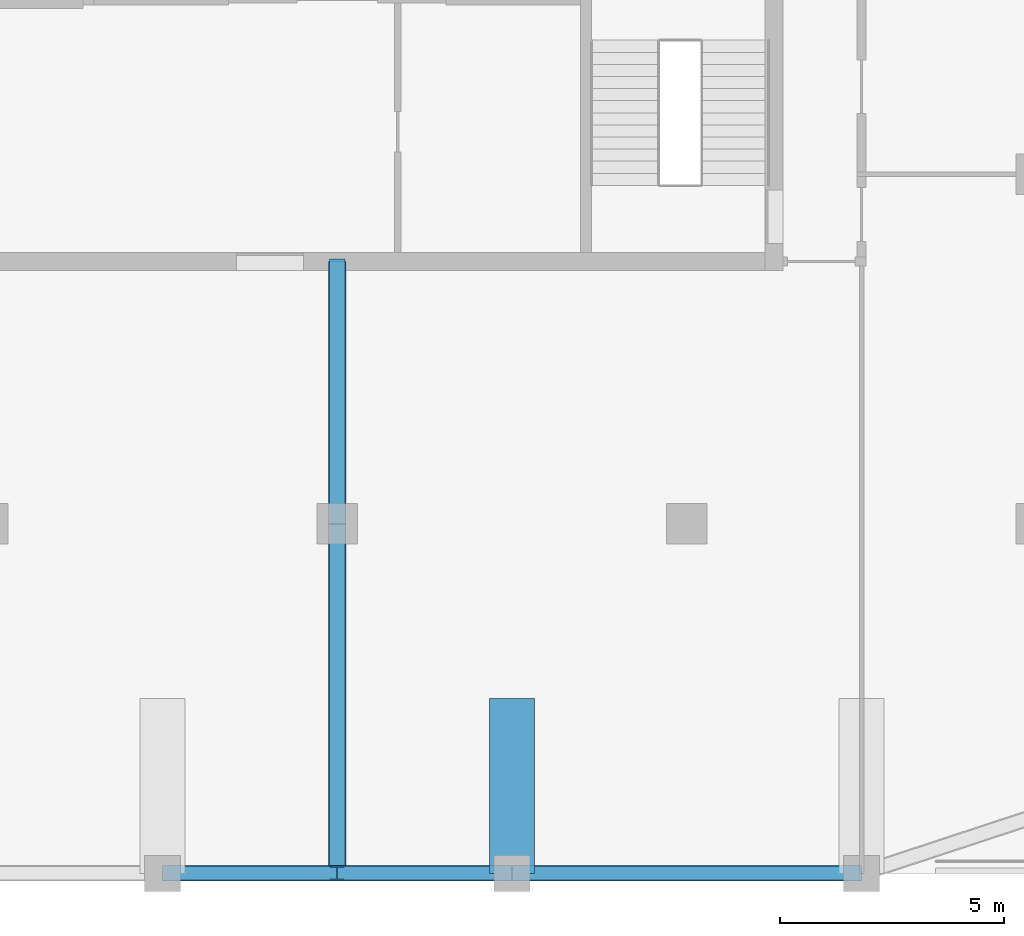
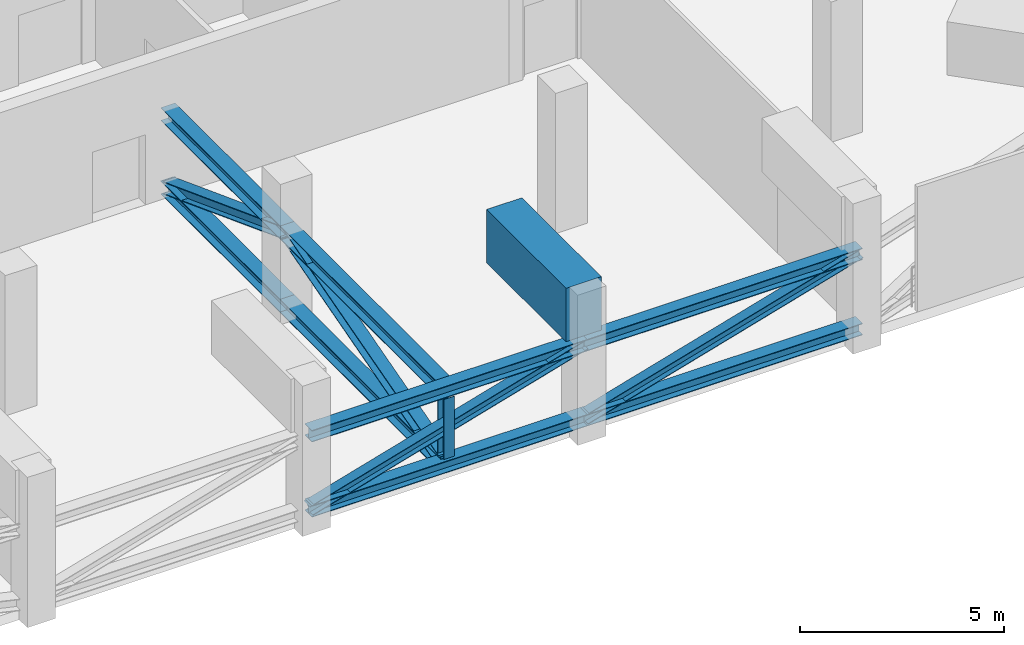
# One storey, part 2 of 13: 13 members, 1 beam.
"""IFC4 building model written with IfcOpenShell, lengths in metres."""

from ifc_helpers import new_model, si_unit, direction, frame, origin, origin_2d, place, context, subcontext, project, spatial, rectangle, i_section, extrude, material, material_profile, profile_set, type_object, element, save


model = new_model("IFC4")

# Units and contexts
model_context = context("Model", 3, precision=1e-05, world=origin(), true_north=direction((0.0, 1.0)))
body_context = subcontext(model_context, "Body", "Model", "MODEL_VIEW")
ifc_project = project(units=[si_unit("LENGTHUNIT", "METRE"), si_unit("AREAUNIT", "SQUARE_METRE"), si_unit("VOLUMEUNIT", "CUBIC_METRE"), si_unit("PLANEANGLEUNIT", "RADIAN"), si_unit("MASSUNIT", "GRAM", prefix="KILO")], contexts=[model_context])

# Site, building, storey
site_placement = place(None, origin())
site = spatial("IfcSite", under=ifc_project, at=site_placement, CompositionType="ELEMENT")
building_placement = place(site_placement, origin())
building = spatial("IfcBuilding", under=site, at=building_placement, Name="Ludao Terraces", CompositionType="ELEMENT")
storey_placement = place(building_placement, frame((0.0, 0.0, 241.5)))
storey = spatial("IfcBuildingStorey", under=building, at=storey_placement, Name="L66", CompositionType="ELEMENT", Elevation=241.5)

# Members
ifc_material_1 = material(Name="Steel Q355", Category="steel")
ifc_material_profile_1 = material_profile(ifc_material_1, i_section(OverallWidth=0.35009765625, OverallDepth=0.35009765625, WebThickness=0.011962890625, FlangeThickness=0.01904296875, at=origin_2d()), Name="HW 350X350X12X19")
ifc_profile_set_1 = profile_set([ifc_material_profile_1], Name="Steel Q355")
member_type_1 = type_object("IfcMemberType", Name="Belt truss chord HW 350x350x12x19 Q355", PredefinedType="CHORD", material=ifc_profile_set_1)
for number, where, z_axis, x_axis, name in (
    (1, (81.10009765625, 41.60009765625, 2.425048828125), (1.0, 0.0, 0.0), (0.0, 1.0, 0.0), "Truss chord L66 BT3T1"),
    (2, (81.10009765625, 41.60009765625, 0.175048828125), (1.0, 0.0, 0.0), (0.0, 1.0, 0.0), "Truss chord L66 BT3B1"),
):
    element("IfcMember", number, at=place(storey_placement, frame(where, z_axis=z_axis, x_axis=x_axis)), inside=storey, type_object=member_type_1, Name=name, PredefinedType="CHORD", context=body_context, shape_type="SweptSolid", body=[
        extrude(i_section(OverallWidth=0.35009765625, OverallDepth=0.35009765625, WebThickness=0.011962890625, FlangeThickness=0.01904296875, at=origin_2d()), origin(), (0.0, 0.0, 1.0), 7.7998046875),
    ])
for number, where, z_axis, x_axis, name in (
    (3, (88.89990234375, 41.60009765625, 2.425048828125), (1.0, 0.0, 0.0), (0.0, 1.0, 0.0), "Truss chord L66 BT4T1"),
    (4, (88.89990234375, 41.60009765625, 0.175048828125), (1.0, 0.0, 0.0), (0.0, 1.0, 0.0), "Truss chord L66 BT4B1"),
):
    element("IfcMember", number, at=place(storey_placement, frame(where, z_axis=z_axis, x_axis=x_axis)), inside=storey, type_object=member_type_1, Name=name, PredefinedType="CHORD", context=body_context, shape_type="SweptSolid", body=[
        extrude(i_section(OverallWidth=0.35009765625, OverallDepth=0.35009765625, WebThickness=0.011962890625, FlangeThickness=0.01904296875, at=origin_2d()), origin(), (0.0, 0.0, 1.0), 7.800048828125),
    ])
ifc_material_profile_2 = material_profile(ifc_material_1, i_section(OverallWidth=0.300048828125, OverallDepth=0.300048828125, WebThickness=0.010009765625, FlangeThickness=0.014892578125, at=origin_2d()), Name="HW 300X300X10X15")
ifc_profile_set_2 = profile_set([ifc_material_profile_2], Name="Steel Q355")
member_type_2 = type_object("IfcMemberType", Name="Belt truss diagonal HW 300x300x10x15 Q355", PredefinedType="BRACE", material=ifc_profile_set_2)
member_1_placement = place(storey_placement, frame((81.10009765625, 41.60009765625, 0.175048828125), z_axis=(0.960821742945, 0.0, 0.277167058438), x_axis=(0.0, 1.0, 0.0)))
element("IfcMember", 5, at=member_1_placement, inside=storey, type_object=member_type_2, Name="Truss diagonal L66 BT31", PredefinedType="BRACE", context=body_context, shape_type="SweptSolid", body=[
    extrude(i_section(OverallWidth=0.300048828125, OverallDepth=0.300048828125, WebThickness=0.010009765625, FlangeThickness=0.014892578125, at=origin_2d()), origin(), (0.0, 0.0, 1.0), 8.117919921875),
])
member_2_placement = place(storey_placement, frame((88.89990234375, 41.60009765625, 0.175048828125), z_axis=(0.96082405322, 0.0, 0.277159049563), x_axis=(0.0, 1.0, 0.0)))
element("IfcMember", 6, at=member_2_placement, inside=storey, type_object=member_type_2, Name="Truss diagonal L66 BT41", PredefinedType="BRACE", context=body_context, shape_type="SweptSolid", body=[
    extrude(i_section(OverallWidth=0.300048828125, OverallDepth=0.300048828125, WebThickness=0.010009765625, FlangeThickness=0.014892578125, at=origin_2d()), origin(), (0.0, 0.0, 1.0), 8.1181640625),
])
ifc_material_profile_3 = material_profile(ifc_material_1, i_section(OverallWidth=0.39990234375, OverallDepth=0.39990234375, WebThickness=0.012939453125, FlangeThickness=0.02099609375, at=origin_2d()), Name="HW 400X400X13X21")
ifc_profile_set_3 = profile_set([ifc_material_profile_3], Name="Steel Q355")
member_type_3 = type_object("IfcMemberType", Name="Outrigger chord HW 400x400x13x21 Q355", PredefinedType="CHORD", material=ifc_profile_set_3)
for number, where, z_axis, x_axis, name in (
    (7, (85.0, 55.25, 2.39990234375), (0.0, -1.0, 0.0), (1.0, 0.0, 0.0), "Truss chord L66 ORST1"),
    (8, (85.0, 55.25, 0.199951171875), (0.0, -1.0, 0.0), (1.0, 0.0, 0.0), "Truss chord L66 ORSB1"),
):
    element("IfcMember", number, at=place(storey_placement, frame(where, z_axis=z_axis, x_axis=x_axis)), inside=storey, type_object=member_type_3, Name=name, PredefinedType="CHORD", context=body_context, shape_type="SweptSolid", body=[
        extrude(i_section(OverallWidth=0.39990234375, OverallDepth=0.39990234375, WebThickness=0.012939453125, FlangeThickness=0.02099609375, at=origin_2d()), origin(), (0.0, 0.0, 1.0), 5.85009765625),
    ])
for number, where, z_axis, x_axis, name in (
    (9, (85.0, 49.39990234375, 2.39990234375), (0.0, -1.0, 0.0), (1.0, 0.0, 0.0), "Truss chord L66 ORST2"),
    (10, (85.0, 49.39990234375, 0.199951171875), (0.0, -1.0, 0.0), (1.0, 0.0, 0.0), "Truss chord L66 ORSB2"),
):
    element("IfcMember", number, at=place(storey_placement, frame(where, z_axis=z_axis, x_axis=x_axis)), inside=storey, type_object=member_type_3, Name=name, PredefinedType="CHORD", context=body_context, shape_type="SweptSolid", body=[
        extrude(i_section(OverallWidth=0.39990234375, OverallDepth=0.39990234375, WebThickness=0.012939453125, FlangeThickness=0.02099609375, at=origin_2d()), origin(), (0.0, 0.0, 1.0), 7.7998046875),
    ])
ifc_material_profile_4 = material_profile(ifc_material_1, i_section(OverallWidth=0.35009765625, OverallDepth=0.35009765625, WebThickness=0.011962890625, FlangeThickness=0.01904296875, at=origin_2d()), Name="HW 350X350X12X19")
ifc_profile_set_4 = profile_set([ifc_material_profile_4], Name="Steel Q355")
member_type_4 = type_object("IfcMemberType", Name="Outrigger diagonal HW 350x350x12x19 Q355", PredefinedType="BRACE", material=ifc_profile_set_4)
member_3_placement = place(storey_placement, frame((85.0, 55.25, 0.199951171875), z_axis=(0.0, -0.93600450987, 0.351988007614), x_axis=(1.0, 0.0, 0.0)))
element("IfcMember", 11, at=member_3_placement, inside=storey, type_object=member_type_4, Name="Truss diagonal L66 ORS1", PredefinedType="BRACE", context=body_context, shape_type="SweptSolid", body=[
    extrude(i_section(OverallWidth=0.35009765625, OverallDepth=0.35009765625, WebThickness=0.011962890625, FlangeThickness=0.01904296875, at=origin_2d()), origin(), (0.0, 0.0, 1.0), 6.25),
])
member_4_placement = place(storey_placement, frame((85.0, 49.39990234375, 2.39990234375), z_axis=(0.0, -0.962449474171, -0.271460880548), x_axis=(1.0, 0.0, 0.0)))
element("IfcMember", 12, at=member_4_placement, inside=storey, type_object=member_type_4, Name="Truss diagonal L66 ORS2", PredefinedType="BRACE", context=body_context, shape_type="SweptSolid", body=[
    extrude(i_section(OverallWidth=0.35009765625, OverallDepth=0.35009765625, WebThickness=0.011962890625, FlangeThickness=0.01904296875, at=origin_2d()), origin(), (0.0, 0.0, 1.0), 8.10400390625),
])
ifc_material_profile_5 = material_profile(ifc_material_1, i_section(OverallWidth=0.300048828125, OverallDepth=0.300048828125, WebThickness=0.010009765625, FlangeThickness=0.014892578125, at=origin_2d()), Name="HW 300X300X10X15")
ifc_profile_set_5 = profile_set([ifc_material_profile_5], Name="Steel Q355")
member_type_5 = type_object("IfcMemberType", Name="Outrigger post HW 300x300x10x15 Q355", PredefinedType="POST", material=ifc_profile_set_5)
member_5_placement = place(storey_placement, frame((85.0, 41.60009765625, 0.39990234375), z_axis=(0.0, 0.0, 1.0), x_axis=(1.0, 0.0, 0.0)))
element("IfcMember", 13, at=member_5_placement, inside=storey, type_object=member_type_5, Name="Truss post L66 ORS3", PredefinedType="POST", context=body_context, shape_type="SweptSolid", body=[
    extrude(i_section(OverallWidth=0.300048828125, OverallDepth=0.300048828125, WebThickness=0.010009765625, FlangeThickness=0.014892578125, at=origin_2d()), origin(), (0.0, 0.0, 1.0), 1.800048828125),
])

# Beam
ifc_material_2 = material(Name="Concrete C60", Category="concrete")
ifc_material_profile_6 = material_profile(ifc_material_2, rectangle(XDim=1.0, YDim=1.60009765625, at=origin_2d()), Name="1000 X 1600")
ifc_profile_set_6 = profile_set([ifc_material_profile_6], Name="Concrete C60")
beam_type = type_object("IfcBeamType", Name="RC beam 1000x1600 C60", PredefinedType="BEAM", material=ifc_profile_set_6)
beam_placement = place(storey_placement, frame((88.89990234375, 41.60009765625, 3.39990234375), z_axis=(0.0, 1.0, 0.0), x_axis=(-1.0, 0.0, 0.0)))
element("IfcBeam", 14, at=beam_placement, inside=storey, type_object=beam_type, Name="Transfer girder L66 corbel 8", PredefinedType="BEAM", context=body_context, shape_type="SweptSolid", body=[
    extrude(rectangle(XDim=1.0, YDim=1.60009765625, at=origin_2d()), origin(), (0.0, 0.0, 1.0), 3.89990234375),
])

save(model, "model.ifc")
